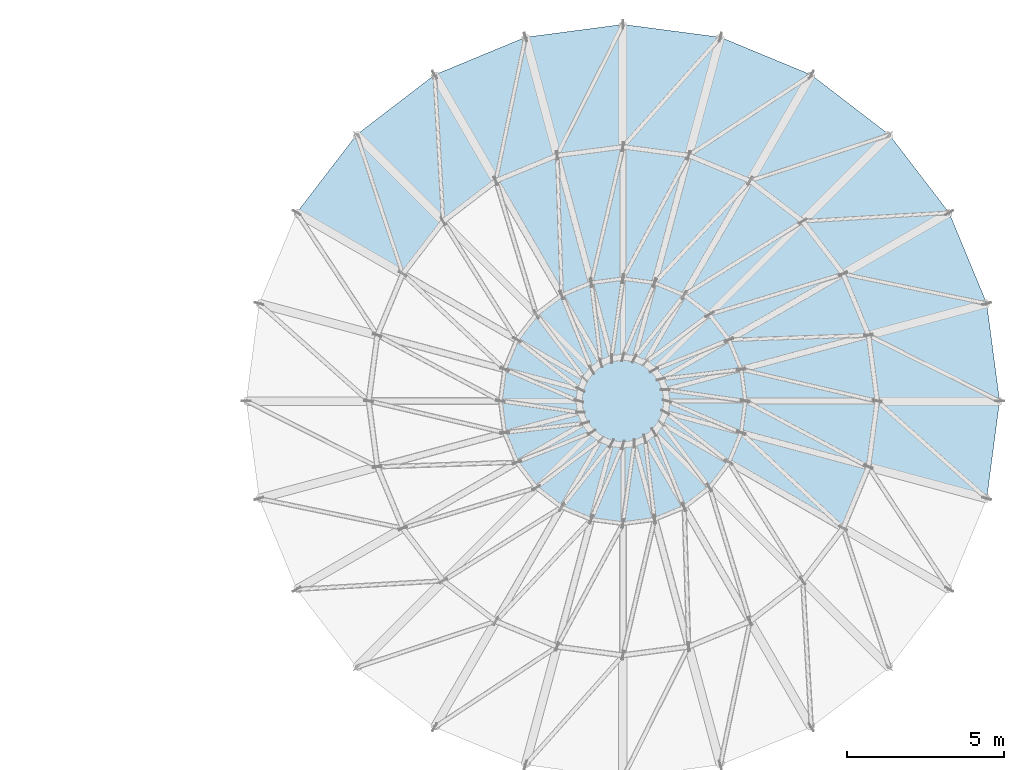
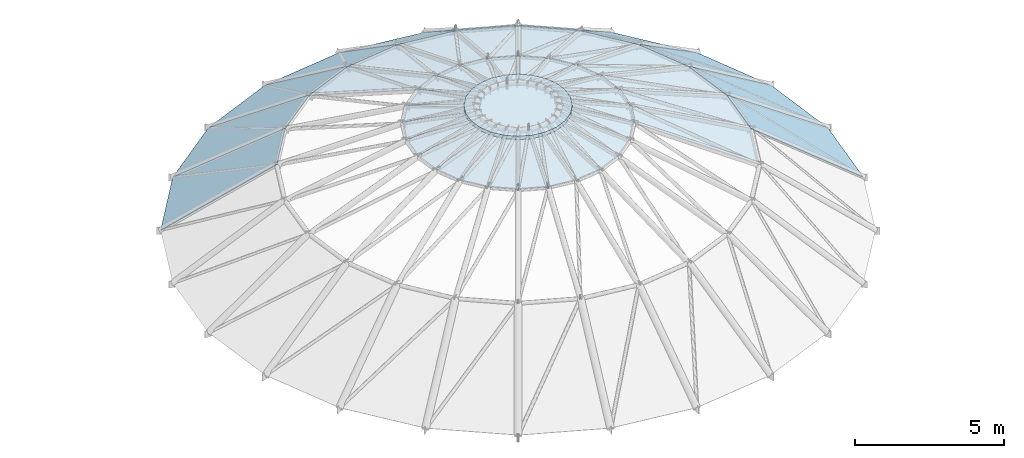
# One storey, part 21 of 32: 46 plates.
"""IFC4 building model written with IfcOpenShell, lengths in metres."""

import ifcopenshell
import ifcopenshell.guid

model = None  # the IFC model being written
_history = None  # IfcOwnerHistory: only IFC2X3 demands one
_inside = {}  # id of a spatial element -> (the spatial element, [elements in it])
_under = {}  # id of a project, library or spatial element -> (it, [spatial elements below it])
_declared = {}  # id of a project -> (the project, [libraries it declares])
_typed = {}  # id of a type object -> (the type object, [elements of that type])
_made_of = {}  # id of a material, layer set ... -> (it, [elements and type objects made of it])


def new_model(schema):
    """Start an empty IFC model of exactly this schema.

    Asked for "IFC4X3", IfcOpenShell would pick the latest addendum, in which some entities
    have other attributes; the version numbers below select the first issue.
    IFC2X3 requires an IfcOwnerHistory on every rooted entity: one is made here for all.
    """
    global model, _history
    if schema == "IFC4X3":
        model = ifcopenshell.file(schema_version=(4, 3, 0, 0))
    else:
        model = ifcopenshell.file(schema=schema)
    _inside.clear()
    _under.clear()
    _declared.clear()
    _typed.clear()
    _made_of.clear()
    _history = None
    if model.schema == "IFC2X3":
        org = make("IfcOrganization", Name="unknown")
        user = make(
            "IfcPersonAndOrganization",
            ThePerson=make("IfcPerson", FamilyName="unknown"),
            TheOrganization=org,
        )
        app = make(
            "IfcApplication",
            ApplicationDeveloper=org,
            Version="unknown",
            ApplicationFullName="unknown",
            ApplicationIdentifier="unknown",
        )
        _history = make(
            "IfcOwnerHistory",
            OwningUser=user,
            OwningApplication=app,
            ChangeAction="ADDED",
            CreationDate=0,
        )
    return model


def make(cls, **values):
    """One entity of the class cls with the attributes given. An attribute that is None is left unset."""
    return model.create_entity(
        cls, **{name: value for name, value in values.items() if value is not None}
    )


def rooted(cls, **values):
    """An entity with a GlobalId (a new one), such as an element, a storey or a relation."""
    return make(cls, GlobalId=ifcopenshell.guid.new(), OwnerHistory=_history, **values)


def si_unit(unit_type, name, prefix=None):
    """IfcSIUnit, for example si_unit("LENGTHUNIT", "METRE", prefix="MILLI")."""
    return make("IfcSIUnit", UnitType=unit_type, Prefix=prefix, Name=name)


def assignment(units):
    """IfcUnitAssignment: the units of a project."""
    return None if units is None else make("IfcUnitAssignment", Units=units)


def point(xyz):
    """IfcCartesianPoint."""
    return None if xyz is None else make("IfcCartesianPoint", Coordinates=xyz)


def direction(xyz):
    """IfcDirection."""
    return None if xyz is None else make("IfcDirection", DirectionRatios=xyz)


def frame(location, z_axis=None, x_axis=None):
    """IfcAxis2Placement3D, a coordinate frame: its origin and axes. An axis left out is left unset."""
    return make(
        "IfcAxis2Placement3D",
        Location=point(location),
        Axis=direction(z_axis),
        RefDirection=direction(x_axis),
    )


def origin():
    """The frame at (0, 0, 0) with its axes left unset."""
    return frame((0.0, 0.0, 0.0))


def place(relative_to, where):
    """IfcLocalPlacement: puts the frame where relative to a parent placement (None: the world)."""
    return make(
        "IfcLocalPlacement", PlacementRelTo=relative_to, RelativePlacement=where
    )


def context(
    kind, dimensions, precision=None, world=None, true_north=None, identifier=None
):
    """IfcGeometricRepresentationContext, for example the 3D "Model" context."""
    return make(
        "IfcGeometricRepresentationContext",
        ContextIdentifier=identifier,
        ContextType=kind,
        CoordinateSpaceDimension=dimensions,
        Precision=precision,
        WorldCoordinateSystem=world,
        TrueNorth=true_north,
    )


def subcontext(parent, identifier, kind, view, scale=None):
    """IfcGeometricRepresentationSubContext, for example "Body" below "Model"."""
    return make(
        "IfcGeometricRepresentationSubContext",
        ContextIdentifier=identifier,
        ContextType=kind,
        ParentContext=parent,
        TargetScale=scale,
        TargetView=view,
    )


def project(units=None, contexts=None):
    """IfcProject with its units and contexts."""
    return rooted(
        "IfcProject",
        Name="project",
        RepresentationContexts=contexts,
        UnitsInContext=assignment(units),
    )


def spatial(cls, under=None, at=None, **own):
    """A site, building, storey or space (cls), placed at a placement, below another one or the project."""
    s = rooted(cls, ObjectPlacement=at, **own)
    if under is not None:
        _under.setdefault(under.id(), (under, []))[1].append(s)
    return s


def polyline(points):
    """IfcPolyline through the points."""
    return make("IfcPolyline", Points=[point(p) for p in points])


def outline(outer, holes=None, kind="AREA"):
    """IfcArbitraryClosedProfileDef: a profile drawn as a closed curve; with holes, ...WithVoids."""
    if holes is None:
        return make("IfcArbitraryClosedProfileDef", ProfileType=kind, OuterCurve=outer)
    return make(
        "IfcArbitraryProfileDefWithVoids",
        ProfileType=kind,
        OuterCurve=outer,
        InnerCurves=holes,
    )


def extrude(swept, where, along, depth):
    """IfcExtrudedAreaSolid: the profile swept, set in the frame where, extruded along a direction by depth."""
    return make(
        "IfcExtrudedAreaSolid",
        SweptArea=swept,
        Position=where,
        ExtrudedDirection=direction(along),
        Depth=depth,
    )


def shape(context_of_items, identifier, shape_type, items):
    """IfcShapeRepresentation: the items that make up one representation, for example the "Body"."""
    return make(
        "IfcShapeRepresentation",
        ContextOfItems=context_of_items,
        RepresentationIdentifier=identifier,
        RepresentationType=shape_type,
        Items=items,
    )


def material(Name=None, Category=None):
    """IfcMaterial."""
    return make("IfcMaterial", Name=Name, Category=Category)


def layer(
    of_material, thickness, ventilated=None, Name=None, Category=None, Priority=None
):
    """IfcMaterialLayer: one layer of a wall or slab, of a material (None: an air gap)."""
    return make(
        "IfcMaterialLayer",
        Material=of_material,
        LayerThickness=thickness,
        IsVentilated=ventilated,
        Name=Name,
        Category=Category,
        Priority=Priority,
    )


def layer_set(layers, Name=None):
    """IfcMaterialLayerSet."""
    return make("IfcMaterialLayerSet", MaterialLayers=layers, LayerSetName=Name)


def made_of(thing, what):
    """Note that an element or type object is made of a material, layer set ...; save() writes the relation."""
    if what is not None:
        _made_of.setdefault(what.id(), (what, []))[1].append(thing)
    return thing


def type_object(cls, material=None, **own):
    """A type object (cls), such as IfcWallType, which elements share."""
    return made_of(rooted(cls, **own), material)


def element(
    cls,
    number,
    at=None,
    inside=None,
    cuts=None,
    type_object=None,
    material=None,
    context=None,
    identifier="Body",
    shape_type=None,
    held_by="IfcProductDefinitionShape",
    body=None,
    shapes=None,
    **own,
):
    """One element of the class cls, such as IfcWall. Its Tag is "e" and its number.

    at: its placement. inside: the storey or other place that contains it. cuts: it is an
    opening in that element (IfcRelVoidsElement). A single representation is given by context,
    identifier, shape_type and body (its items); several are given by shapes. held_by: the class
    of the entity that holds the representations. save() writes the other relations.
    """
    e = rooted(cls, Tag="e%d" % number, ObjectPlacement=at, **own)
    if body is not None:
        shapes = [shape(context, identifier, shape_type, body)]
    if shapes is not None:
        e.Representation = make(held_by, Representations=shapes)
    if inside is not None:
        _inside.setdefault(inside.id(), (inside, []))[1].append(e)
    if cuts is not None:
        rooted(
            "IfcRelVoidsElement", RelatingBuildingElement=cuts, RelatedOpeningElement=e
        )
    if type_object is not None:
        _typed.setdefault(type_object.id(), (type_object, []))[1].append(e)
    return made_of(e, material)


def aggregate(whole, parts):
    """IfcRelAggregates: a whole, such as a stair, and the parts it consists of."""
    return rooted("IfcRelAggregates", RelatingObject=whole, RelatedObjects=parts)


def save(model, path):
    """Write the relations noted so far, then the file.

    IfcRelAggregates (storeys below a building ...), IfcRelContainedInSpatialStructure (elements
    in a storey), IfcRelDefinesByType, IfcRelAssociatesMaterial and IfcRelDeclares: one each for
    every whole, place, type object, material and project.
    """
    for whole, parts in _under.values():
        aggregate(whole, parts)
    for where, things in _inside.values():
        rooted(
            "IfcRelContainedInSpatialStructure",
            RelatedElements=things,
            RelatingStructure=where,
        )
    for kind, things in _typed.values():
        rooted("IfcRelDefinesByType", RelatedObjects=things, RelatingType=kind)
    for what, things in _made_of.values():
        rooted("IfcRelAssociatesMaterial", RelatedObjects=things, RelatingMaterial=what)
    for by, libraries in _declared.values():
        rooted("IfcRelDeclares", RelatingContext=by, RelatedDefinitions=libraries)
    model.write(path)


model = new_model("IFC4")

# Units and contexts
model_context = context("Model", 3, precision=1e-05, world=origin(), true_north=direction((0.0, 1.0)))
body_context = subcontext(model_context, "Body", "Model", "MODEL_VIEW")
ifc_project = project(units=[si_unit("LENGTHUNIT", "METRE"), si_unit("AREAUNIT", "SQUARE_METRE"), si_unit("VOLUMEUNIT", "CUBIC_METRE"), si_unit("PLANEANGLEUNIT", "RADIAN"), si_unit("MASSUNIT", "GRAM", prefix="KILO")], contexts=[model_context])

# Site, building, storey
site_placement = place(None, origin())
site = spatial("IfcSite", under=ifc_project, at=site_placement, CompositionType="ELEMENT")
building_placement = place(site_placement, origin())
building = spatial("IfcBuilding", under=site, at=building_placement, Name="Kandorven Conservatory and Botanical Research Centre", CompositionType="ELEMENT")
storey_placement = place(building_placement, frame((0.0, 0.0, 17.10009765625)))
storey = spatial("IfcBuildingStorey", under=building, at=storey_placement, Name="L04", CompositionType="ELEMENT", Elevation=17.10009765625)

# Plates
ifc_material_1 = material(Name="Tempered laminated solar-control glass", Category="glass")
ifc_layer_1 = layer(ifc_material_1, 0.031982421875)
ifc_layer_set_1 = layer_set([ifc_layer_1], Name="Tempered laminated solar-control glass")
plate_type_1 = type_object("IfcPlateType", Name="DomePlate_DP-03", PredefinedType="SHEET", material=ifc_layer_set_1)
plate_1_placement = place(storey_placement, frame((99.60009765625, 47.800048828125, 0.6318359375), z_axis=(0.567606999966, 0.074720181852, 0.819901938047), x_axis=(-0.130535225046, 0.991443672032, 1.4460275e-05)))
element("IfcPlate", 1, at=plate_1_placement, inside=storey, type_object=plate_type_1, Name="Conservatory dome laminated glass facet DP-03 T3-S01", PredefinedType="SHEET", context=body_context, shape_type="SweptSolid", body=[
    extrude(outline(polyline([(0.0, 0.0), (3.132519886200249, 0.0), (2.6236552129737687, 4.715972828514868), (0.5091455410879763, 4.716105357710943), (0.0, 0.0)])), origin(), (0.0, 0.0, -1.0), 0.031982421875),
])
plate_2_placement = place(storey_placement, frame((99.191162109375, 50.90576171875, 0.6318359375), z_axis=(0.528926937643, 0.219114316818, 0.819893414293), x_axis=(-0.38271822273, 0.923865121099, -2.558031e-06)))
element("IfcPlate", 2, at=plate_2_placement, inside=storey, type_object=plate_type_1, Name="Conservatory dome laminated glass facet DP-03 T3-S02", PredefinedType="SHEET", context=body_context, shape_type="SweptSolid", body=[
    extrude(outline(polyline([(0.0, 0.0), (3.1328003423973083, 2.220446049250313e-16), (2.6239099326728756, 4.715950265498229), (0.5092908879007456, 4.715926819767921), (0.0, 0.0)])), origin(), (0.0, 0.0, -1.0), 0.031982421875),
])
plate_3_placement = place(storey_placement, frame((97.9921875, 53.800048828125, 0.6318359375), z_axis=(0.454216481553, 0.348514118126, 0.819893467075), x_axis=(-0.608741963328, 0.793368276454, 7.16604e-07)))
element("IfcPlate", 3, at=plate_3_placement, inside=storey, type_object=plate_type_1, Name="Conservatory dome laminated glass facet DP-03 T3-S03", PredefinedType="SHEET", context=body_context, shape_type="SweptSolid", body=[
    extrude(outline(polyline([(0.0, 0.0), (3.1326593090462196, -2.220446049250313e-16), (2.6233478710307976, 4.715935880754819), (0.5089628470614752, 4.715942448351277), (0.0, 0.0)])), origin(), (0.0, 0.0, -1.0), 0.031982421875),
])
plate_4_placement = place(storey_placement, frame((96.085205078125, 56.285400390625, 0.6318359375), z_axis=(0.348502382297, 0.454201186314, 0.819906928794), x_axis=(-0.793348860274, 0.608767267002, -2.2986833e-05)))
element("IfcPlate", 4, at=plate_4_placement, inside=storey, type_object=plate_type_1, Name="Conservatory dome laminated glass facet DP-03 T3-S04", PredefinedType="SHEET", context=body_context, shape_type="SweptSolid", body=[
    extrude(outline(polyline([(0.0, 0.0), (3.132465617989419, 0.0), (2.623364383983455, 4.716203310587385), (0.5087856731827973, 4.7159926318160075), (0.0, 0.0)])), origin(), (0.0, 0.0, -1.0), 0.031982421875),
])
plate_5_placement = place(storey_placement, frame((93.60009765625, 58.1923828125, 0.6318359375), z_axis=(0.219083726566, 0.52891739312, 0.819907746036), x_axis=(-0.923889035173, 0.382660489762, 1.6177508e-05)))
element("IfcPlate", 5, at=plate_5_placement, inside=storey, type_object=plate_type_1, Name="Conservatory dome laminated glass facet DP-03 T3-S05", PredefinedType="SHEET", context=body_context, shape_type="SweptSolid", body=[
    extrude(outline(polyline([(0.0, 0.0), (3.1327069132594065, -2.220446049250313e-16), (2.6239199773378554, 4.716033470918462), (0.509300938515216, 4.716181749167576), (0.0, 0.0)])), origin(), (0.0, 0.0, -1.0), 0.031982421875),
])
plate_6_placement = place(storey_placement, frame((90.705810546875, 59.39111328125, 0.6318359375), z_axis=(0.074723421971, 0.567604973951, 0.819903045338), x_axis=(-0.991443412231, 0.130537198568, -1.1609592e-05)))
element("IfcPlate", 6, at=plate_6_placement, inside=storey, type_object=plate_type_1, Name="Conservatory dome laminated glass facet DP-03 T3-S06", PredefinedType="SHEET", context=body_context, shape_type="SweptSolid", body=[
    extrude(outline(polyline([(0.0, 0.0), (3.132519886373402, 0.0), (2.6233743449672637, 4.716105357791606), (0.5091067249006566, 4.7159989598707295), (0.0, 0.0)])), origin(), (0.0, 0.0, -1.0), 0.031982421875),
])
plate_7_placement = place(storey_placement, frame((87.60009765625, 59.800048828125, 0.6318359375), z_axis=(-0.074716528126, 0.567605881583, 0.819903045254), x_axis=(-0.991444824561, -0.130526471242, 1.2535213e-05)))
element("IfcPlate", 7, at=plate_7_placement, inside=storey, type_object=plate_type_1, Name="Conservatory dome laminated glass facet DP-03 T3-S07", PredefinedType="SHEET", context=body_context, shape_type="SweptSolid", body=[
    extrude(outline(polyline([(0.0, 0.0), (3.1327619378393994, 1.1102230246251565e-16), (2.623615875493735, 4.715994713070849), (0.50910620239675, 4.716109604587135), (0.0, 0.0)])), origin(), (0.0, 0.0, -1.0), 0.031982421875),
])
plate_8_placement = place(storey_placement, frame((84.494140625, 59.39111328125, 0.6318359375), z_axis=(-0.219094923629, 0.528917787668, 0.819904499517), x_axis=(-0.92387912995, -0.382684404088, -1.0536634e-05)))
element("IfcPlate", 8, at=plate_8_placement, inside=storey, type_object=plate_type_1, Name="Conservatory dome laminated glass facet DP-03 T3-S08", PredefinedType="SHEET", context=body_context, shape_type="SweptSolid", body=[
    extrude(outline(polyline([(0.0, 0.0), (3.132481355101797, -1.1102230246251565e-16), (2.6235212952891604, 4.716117599537689), (0.5089022529527382, 4.716021028804621), (0.0, 0.0)])), origin(), (0.0, 0.0, -1.0), 0.031982421875),
])
plate_9_placement = place(storey_placement, frame((81.60009765625, 58.1923828125, 0.6318359375), z_axis=(-0.348494019853, 0.454216924752, 0.819901764479), x_axis=(-0.793373927424, -0.608734598234, 1.4011417e-05)))
element("IfcPlate", 9, at=plate_9_placement, inside=storey, type_object=plate_type_1, Name="Conservatory dome laminated glass facet DP-03 T3-S09", PredefinedType="SHEET", context=body_context, shape_type="SweptSolid", body=[
    extrude(outline(polyline([(0.0, 0.0), (3.1326593085899868, -2.220446049250313e-16), (2.6236901835057194, 4.7159728369803595), (0.509111464963469, 4.716101257410717), (0.0, 0.0)])), origin(), (0.0, 0.0, -1.0), 0.031982421875),
])
plate_10_placement = place(storey_placement, frame((79.11474609375, 56.285400390625, 0.6318359375), z_axis=(-0.454216481553, 0.348514118126, 0.819893467075), x_axis=(-0.608741963328, -0.793368276454, -7.16604e-07)))
element("IfcPlate", 10, at=plate_10_placement, inside=storey, type_object=plate_type_1, Name="Conservatory dome laminated glass facet DP-03 T3-S10", PredefinedType="SHEET", context=body_context, shape_type="SweptSolid", body=[
    extrude(outline(polyline([(0.0, 0.0), (3.1326593090462196, 2.220446049250313e-16), (2.623696461984744, 4.715942448351277), (0.5093114380154214, 4.71593588075482), (0.0, 0.0)])), origin(), (0.0, 0.0, -1.0), 0.031982421875),
])
plate_11_placement = place(storey_placement, frame((99.191162109375, 44.694091796875, 0.6318359375), z_axis=(0.567605881583, -0.074716528126, 0.819903045254), x_axis=(0.130526471242, 0.991444824561, -1.2535213e-05)))
element("IfcPlate", 11, at=plate_11_placement, inside=storey, type_object=plate_type_1, Name="Conservatory dome laminated glass facet DP-03 T3-S24", PredefinedType="SHEET", context=body_context, shape_type="SweptSolid", body=[
    extrude(outline(polyline([(0.0, 0.0), (3.1327619378393994, -1.1102230246251565e-16), (2.6236557354426493, 4.7161096045871345), (0.509146062345665, 4.715994713070849), (0.0, 0.0)])), origin(), (0.0, 0.0, -1.0), 0.031982421875),
])
ifc_material_2 = material(Name="Tempered laminated solar-control glass", Category="glass")
ifc_layer_2 = layer(ifc_material_2, 0.030029296875)
ifc_layer_set_2 = layer_set([ifc_layer_2], Name="Tempered laminated solar-control glass")
plate_type_2 = type_object("IfcPlateType", Name="DomePlate_DP-04", PredefinedType="SHEET", material=ifc_layer_set_2)
plate_12_placement = place(storey_placement, frame((95.699951171875, 47.800048828125, 3.329833984375), z_axis=(0.374730934992, 0.049312128384, 0.925821278841), x_axis=(-0.13046932882, 0.991452345923, 2.89697e-07)))
element("IfcPlate", 12, at=plate_12_placement, inside=storey, type_object=plate_type_2, Name="Conservatory dome laminated glass facet DP-04 T4-S01", PredefinedType="SHEET", context=body_context, shape_type="SweptSolid", body=[
    extrude(outline(polyline([(0.0, 0.0), (2.114509676760629, 0.0), (1.5659436508242235, 4.497681209482201), (0.5479653029419596, 4.4976836104448985), (0.0, 0.0)])), origin(), (0.0, 0.0, -1.0), 0.030029296875),
])
plate_13_placement = place(storey_placement, frame((95.424072265625, 49.896484375, 3.329833984375), z_axis=(0.349184928896, 0.144651808166, 0.925821656598), x_axis=(-0.382727281196, 0.9238613685, 4.732037e-06)))
element("IfcPlate", 13, at=plate_13_placement, inside=storey, type_object=plate_type_2, Name="Conservatory dome laminated glass facet DP-04 T4-S02", PredefinedType="SHEET", context=body_context, shape_type="SweptSolid", body=[
    extrude(outline(polyline([(0.0, 0.0), (2.1146190448970748, 1.1102230246251565e-16), (1.5664863526592625, 4.497673809015465), (0.5483050553893123, 4.497713031425981), (0.0, 0.0)])), origin(), (0.0, 0.0, -1.0), 0.030029296875),
])
plate_14_placement = place(storey_placement, frame((94.61474609375, 51.85009765625, 3.329833984375), z_axis=(0.299845884601, 0.23009099171, 0.925824271134), x_axis=(-0.608745160923, 0.793365822765, -1.7927458e-05)))
element("IfcPlate", 14, at=plate_14_placement, inside=storey, type_object=plate_type_2, Name="Conservatory dome laminated glass facet DP-04 T4-S03", PredefinedType="SHEET", context=body_context, shape_type="SweptSolid", body=[
    extrude(outline(polyline([(0.0, 0.0), (2.114385023584895, 1.1102230246251565e-16), (1.5660365909222134, 4.497843920849288), (0.5479559988104435, 4.497695338994376), (0.0, 0.0)])), origin(), (0.0, 0.0, -1.0), 0.030029296875),
])
plate_15_placement = place(storey_placement, frame((93.32763671875, 53.527587890625, 3.329833984375), z_axis=(0.230080284831, 0.299861387733, 0.925821910887), x_axis=(-0.793406618856, 0.608691988187, 2.5919211e-05)))
element("IfcPlate", 15, at=plate_15_placement, inside=storey, type_object=plate_type_2, Name="Conservatory dome laminated glass facet DP-04 T4-S04", PredefinedType="SHEET", context=body_context, shape_type="SweptSolid", body=[
    extrude(outline(polyline([(0.0, 0.0), (2.1145787222907897, 0.0), (1.5667216823081294, 4.497593403393992), (0.5486411029175582, 4.497808230492449), (0.0, 0.0)])), origin(), (0.0, 0.0, -1.0), 0.030029296875),
])
plate_16_placement = place(storey_placement, frame((91.64990234375, 54.814697265625, 3.329833984375), z_axis=(0.144654590353, 0.349191645009, 0.925818688808), x_axis=(-0.923861368528, 0.382727281127, -4.732113e-06)))
element("IfcPlate", 16, at=plate_16_placement, inside=storey, type_object=plate_type_2, Name="Conservatory dome laminated glass facet DP-04 T4-S05", PredefinedType="SHEET", context=body_context, shape_type="SweptSolid", body=[
    extrude(outline(polyline([(0.0, 0.0), (2.114619044897074, 0.0), (1.5660884375963475, 4.497626522991558), (0.5479071403263945, 4.497587300706773), (0.0, 0.0)])), origin(), (0.0, 0.0, -1.0), 0.030029296875),
])
plate_17_placement = place(storey_placement, frame((89.6962890625, 55.6240234375, 3.329833984375), z_axis=(0.049316100785, 0.374731661876, 0.925820773039), x_axis=(-0.99145047147, 0.130483572214, -2.003076e-06)))
element("IfcPlate", 17, at=plate_17_placement, inside=storey, type_object=plate_type_2, Name="Conservatory dome laminated glass facet DP-04 T4-S06", PredefinedType="SHEET", context=body_context, shape_type="SweptSolid", body=[
    extrude(outline(polyline([(0.0, 0.0), (2.1142676232041024, 0.0), (1.5662395860422704, 4.4976759669141355), (0.5482612383025822, 4.497659367063457), (0.0, 0.0)])), origin(), (0.0, 0.0, -1.0), 0.030029296875),
])
plate_18_placement = place(storey_placement, frame((87.60009765625, 55.89990234375, 3.329833984375), z_axis=(-0.049308479897, 0.374732665027, 0.925820772921), x_axis=(-0.991452535424, -0.130467888716, 3.847642e-06)))
element("IfcPlate", 18, at=plate_18_placement, inside=storey, type_object=plate_type_2, Name="Conservatory dome laminated glass facet DP-04 T4-S07", PredefinedType="SHEET", context=body_context, shape_type="SweptSolid", body=[
    extrude(outline(polyline([(0.0, 0.0), (2.114509676742472, 0.0), (1.5661857046292964, 4.497651719409636), (0.5479653029103507, 4.497683610440213), (0.0, 0.0)])), origin(), (0.0, 0.0, -1.0), 0.030029296875),
])
plate_19_placement = place(storey_placement, frame((85.503662109375, 55.6240234375, 3.329833984375), z_axis=(-0.144654590353, 0.349191645009, 0.925818688808), x_axis=(-0.923861368528, -0.382727281127, 4.732113e-06)))
element("IfcPlate", 19, at=plate_19_placement, inside=storey, type_object=plate_type_2, Name="Conservatory dome laminated glass facet DP-04 T4-S08", PredefinedType="SHEET", context=body_context, shape_type="SweptSolid", body=[
    extrude(outline(polyline([(0.0, 0.0), (2.114619044897074, 0.0), (1.5667119045706794, 4.497587300706773), (0.5485306073007264, 4.497626522991558), (0.0, 0.0)])), origin(), (0.0, 0.0, -1.0), 0.030029296875),
])
plate_20_placement = place(storey_placement, frame((94.61474609375, 43.75, 3.329833984375), z_axis=(0.349183972573, -0.144663614755, 0.92582017253), x_axis=(0.382731217783, 0.923859737678, 5.705348e-06)))
element("IfcPlate", 20, at=plate_20_placement, inside=storey, type_object=plate_type_2, Name="Conservatory dome laminated glass facet DP-04 T4-S23", PredefinedType="SHEET", context=body_context, shape_type="SweptSolid", body=[
    extrude(outline(polyline([(0.0, 0.0), (2.114619044884544, 1.1102230246251565e-16), (1.5660884376056272, 4.497626522988327), (0.5481326922159976, 4.497673809012232), (0.0, 0.0)])), origin(), (0.0, 0.0, -1.0), 0.030029296875),
])
plate_21_placement = place(storey_placement, frame((95.424072265625, 45.70361328125, 3.329833984375), z_axis=(0.374732665027, -0.049308479897, 0.925820772921), x_axis=(0.130467888716, 0.991452535424, -3.847642e-06)))
element("IfcPlate", 21, at=plate_21_placement, inside=storey, type_object=plate_type_2, Name="Conservatory dome laminated glass facet DP-04 T4-S24", PredefinedType="SHEET", context=body_context, shape_type="SweptSolid", body=[
    extrude(outline(polyline([(0.0, 0.0), (2.114509676742472, 0.0), (1.566544373832121, 4.497683610440213), (0.5483239721131753, 4.497651719409636), (0.0, 0.0)])), origin(), (0.0, 0.0, -1.0), 0.030029296875),
])
ifc_material_3 = material(Name="Tempered laminated solar-control glass", Category="glass")
ifc_layer_3 = layer(ifc_material_3, 0.028076171875)
ifc_layer_set_3 = layer_set([ifc_layer_3], Name="Tempered laminated solar-control glass")
plate_type_3 = type_object("IfcPlateType", Name="DomePlate_DP-05", PredefinedType="SHEET", material=ifc_layer_set_3)
plate_22_placement = place(storey_placement, frame((91.5, 47.800048828125, 5.02783203125), z_axis=(0.269448145642, 0.0354436062, 0.962362430475), x_axis=(-0.130463306492, 0.991453138324, 1.2907204e-05)))
element("IfcPlate", 22, at=plate_22_placement, inside=storey, type_object=plate_type_3, Name="Conservatory dome laminated glass facet DP-05 T5-S01", PredefinedType="SHEET", context=body_context, shape_type="SweptSolid", body=[
    extrude(outline(polyline([(0.0, 0.0), (1.0179783477937523, 0.0), (0.6915864417664268, 2.5755015238106727), (0.3261673006436709, 2.5755672258385336), (0.0, 0.0)])), origin(), (0.0, 0.0, -1.0), 0.028076171875),
])
plate_23_placement = place(storey_placement, frame((91.3671875, 48.809326171875, 5.02783203125), z_axis=(0.251080962539, 0.104009665345, 0.962361854899), x_axis=(-0.382692071551, 0.92387595398, -5.54377e-06)))
element("IfcPlate", 23, at=plate_23_placement, inside=storey, type_object=plate_type_3, Name="Conservatory dome laminated glass facet DP-05 T5-S02", PredefinedType="SHEET", context=body_context, shape_type="SweptSolid", body=[
    extrude(outline(polyline([(0.0, 0.0), (1.0181812980658853, -1.1102230246251565e-16), (0.6918757590392207, 2.575529165108829), (0.32639651066222436, 2.575500940293126), (0.0, 0.0)])), origin(), (0.0, 0.0, -1.0), 0.028076171875),
])
plate_24_placement = place(storey_placement, frame((90.9775390625, 49.75, 5.02783203125), z_axis=(0.215562359288, 0.165496262937, 0.962363681885), x_axis=(-0.608872103392, 0.793268403841, -3.4341726e-05)))
element("IfcPlate", 24, at=plate_24_placement, inside=storey, type_object=plate_type_3, Name="Conservatory dome laminated glass facet DP-05 T5-S03", PredefinedType="SHEET", context=body_context, shape_type="SweptSolid", body=[
    extrude(outline(polyline([(0.0, 0.0), (1.0180806031290643, 0.0), (0.6920766799646784, 2.575663838595745), (0.32662234557694103, 2.5754890073945216), (0.0, 0.0)])), origin(), (0.0, 0.0, -1.0), 0.028076171875),
])
plate_25_placement = place(storey_placement, frame((90.357666015625, 50.5576171875, 5.02783203125), z_axis=(0.165496262937, 0.215562359288, 0.962363681885), x_axis=(-0.793268403841, 0.608872103392, 3.4341726e-05)))
element("IfcPlate", 25, at=plate_25_placement, inside=storey, type_object=plate_type_3, Name="Conservatory dome laminated glass facet DP-05 T5-S04", PredefinedType="SHEET", context=body_context, shape_type="SweptSolid", body=[
    extrude(outline(polyline([(0.0, 0.0), (1.0180806031290643, 0.0), (0.6914582575521233, 2.575489007394521), (0.3260039231643861, 2.575663838595745), (0.0, 0.0)])), origin(), (0.0, 0.0, -1.0), 0.028076171875),
])
plate_26_placement = place(storey_placement, frame((89.550048828125, 51.177490234375, 5.02783203125), z_axis=(0.104009665345, 0.251080962539, 0.962361854899), x_axis=(-0.92387595398, 0.382692071551, 5.54377e-06)))
element("IfcPlate", 26, at=plate_26_placement, inside=storey, type_object=plate_type_3, Name="Conservatory dome laminated glass facet DP-05 T5-S05", PredefinedType="SHEET", context=body_context, shape_type="SweptSolid", body=[
    extrude(outline(polyline([(0.0, 0.0), (1.0181812980658853, 1.1102230246251565e-16), (0.691784787403661, 2.575500940293126), (0.32630553902666476, 2.575529165108829), (0.0, 0.0)])), origin(), (0.0, 0.0, -1.0), 0.028076171875),
])
plate_27_placement = place(storey_placement, frame((88.609375, 51.567138671875, 5.02783203125), z_axis=(0.0354436062, 0.269448145642, 0.962362430475), x_axis=(-0.991453138324, 0.130463306492, -1.2907204e-05)))
element("IfcPlate", 27, at=plate_27_placement, inside=storey, type_object=plate_type_3, Name="Conservatory dome laminated glass facet DP-05 T5-S06", PredefinedType="SHEET", context=body_context, shape_type="SweptSolid", body=[
    extrude(outline(polyline([(0.0, 0.0), (1.0179783477937523, 0.0), (0.6918110471500813, 2.5755672258385336), (0.3263919060273256, 2.575501523810672), (0.0, 0.0)])), origin(), (0.0, 0.0, -1.0), 0.028076171875),
])
plate_28_placement = place(storey_placement, frame((87.60009765625, 51.699951171875, 5.02783203125), z_axis=(-0.03543719496, 0.269447359239, 0.96236288676), x_axis=(-0.991457139379, -0.130432897147, 1.074413e-05)))
element("IfcPlate", 28, at=plate_28_placement, inside=storey, type_object=plate_type_3, Name="Conservatory dome laminated glass facet DP-05 T5-S07", PredefinedType="SHEET", context=body_context, shape_type="SweptSolid", body=[
    extrude(outline(polyline([(0.0, 0.0), (1.0182204021928298, 0.0), (0.691508906247049, 2.575522342781606), (0.326089763233692, 2.5755770439251386), (0.0, 0.0)])), origin(), (0.0, 0.0, -1.0), 0.028076171875),
])
plate_29_placement = place(storey_placement, frame((86.590576171875, 51.567138671875, 5.02783203125), z_axis=(-0.103990897958, 0.25108360194, 0.962363194422), x_axis=(-0.923877862256, -0.382687464501, 1.2114454e-05)))
element("IfcPlate", 29, at=plate_29_placement, inside=storey, type_object=plate_type_3, Name="Conservatory dome laminated glass facet DP-05 T5-S08", PredefinedType="SHEET", context=body_context, shape_type="SweptSolid", body=[
    extrude(outline(polyline([(0.0, 0.0), (1.018181298002107, 0.0), (0.6918757590825596, 2.575529165097187), (0.32617095475599295, 2.5755908541515082), (0.0, 0.0)])), origin(), (0.0, 0.0, -1.0), 0.028076171875),
])
plate_30_placement = place(storey_placement, frame((85.64990234375, 51.177490234375, 5.02783203125), z_axis=(-0.165496262937, 0.215562359288, 0.962363681885), x_axis=(-0.793268403841, -0.608872103392, -3.4341726e-05)))
element("IfcPlate", 30, at=plate_30_placement, inside=storey, type_object=plate_type_3, Name="Conservatory dome laminated glass facet DP-05 T5-S09", PredefinedType="SHEET", context=body_context, shape_type="SweptSolid", body=[
    extrude(outline(polyline([(0.0, 0.0), (1.0180806031290643, 0.0), (0.6920766799646784, 2.575663838595745), (0.32662234557694103, 2.5754890073945216), (0.0, 0.0)])), origin(), (0.0, 0.0, -1.0), 0.028076171875),
])
plate_31_placement = place(storey_placement, frame((84.84228515625, 50.5576171875, 5.02783203125), z_axis=(-0.215577718489, 0.165460095392, 0.962366460411), x_axis=(-0.608863902448, -0.793274699137, -2.268958e-06)))
element("IfcPlate", 31, at=plate_31_placement, inside=storey, type_object=plate_type_3, Name="Conservatory dome laminated glass facet DP-05 T5-S10", PredefinedType="SHEET", context=body_context, shape_type="SweptSolid", body=[
    extrude(outline(polyline([(0.0, 0.0), (1.018080603774448, 1.1102230246251565e-16), (0.691309608576021, 2.5756753889874626), (0.3260039242484924, 2.575663838713629), (0.0, 0.0)])), origin(), (0.0, 0.0, -1.0), 0.028076171875),
])
plate_32_placement = place(storey_placement, frame((84.222412109375, 49.75, 5.02783203125), z_axis=(-0.251087335251, 0.103964351189, 0.962365088601), x_axis=(-0.38249137228, -0.923959062782, 2.0849743e-05)))
element("IfcPlate", 32, at=plate_32_placement, inside=storey, type_object=plate_type_3, Name="Conservatory dome laminated glass facet DP-05 T5-S11", PredefinedType="SHEET", context=body_context, shape_type="SweptSolid", body=[
    extrude(outline(polyline([(0.0, 0.0), (1.0180878925012047, 5.551115123125783e-17), (0.6922405119752992, 2.575570472686692), (0.32676127854178105, 2.575676621609102), (0.0, 0.0)])), origin(), (0.0, 0.0, -1.0), 0.028076171875),
])
plate_33_placement = place(storey_placement, frame((83.8330078125, 48.809326171875, 5.02783203125), z_axis=(-0.269435733471, 0.035537892222, 0.962362428478), x_axis=(-0.130707254752, -0.991421007083, 1.642608e-05)))
element("IfcPlate", 33, at=plate_33_placement, inside=storey, type_object=plate_type_3, Name="Conservatory dome laminated glass facet DP-05 T5-S12", PredefinedType="SHEET", context=body_context, shape_type="SweptSolid", body=[
    extrude(outline(polyline([(0.0, 0.0), (1.0180102287892516, 2.7755575615628914e-17), (0.6912535893631447, 2.575492524022973), (0.32580256484105063, 2.5755761421667827), (0.0, 0.0)])), origin(), (0.0, 0.0, -1.0), 0.028076171875),
])
plate_34_placement = place(storey_placement, frame((83.699951171875, 47.800048828125, 5.02783203125), z_axis=(-0.269434945173, -0.035531463672, 0.96236288655), x_axis=(0.130676790883, -0.991425022873, -1.8587788e-05)))
element("IfcPlate", 34, at=plate_34_placement, inside=storey, type_object=plate_type_3, Name="Conservatory dome laminated glass facet DP-05 T5-S13", PredefinedType="SHEET", context=body_context, shape_type="SweptSolid", body=[
    extrude(outline(polyline([(0.0, 0.0), (1.0182522755399626, -2.7755575615628914e-17), (0.6921299883810261, 2.5755970168702693), (0.3266789666630539, 2.575502377277556), (0.0, 0.0)])), origin(), (0.0, 0.0, -1.0), 0.028076171875),
])
plate_35_placement = place(storey_placement, frame((83.8330078125, 46.79052734375, 5.02783203125), z_axis=(-0.251075932558, -0.103979488402, 0.962366428177), x_axis=(0.382574483093, -0.923924653138, -1.4513848e-05)))
element("IfcPlate", 35, at=plate_35_placement, inside=storey, type_object=plate_type_3, Name="Conservatory dome laminated glass facet DP-05 T5-S14", PredefinedType="SHEET", context=body_context, shape_type="SweptSolid", body=[
    extrude(outline(polyline([(0.0, 0.0), (1.0178623204149044, 5.551115123125783e-17), (0.6913284471934907, 2.5757054610626238), (0.32584920546946294, 2.575631579814722), (0.0, 0.0)])), origin(), (0.0, 0.0, -1.0), 0.028076171875),
])
plate_36_placement = place(storey_placement, frame((84.222412109375, 45.85009765625, 5.02783203125), z_axis=(-0.215613259755, -0.165413774996, 0.962366461001), x_axis=(0.608744058266, -0.79336666877, 2.0278265e-05)))
element("IfcPlate", 36, at=plate_36_placement, inside=storey, type_object=plate_type_3, Name="Conservatory dome laminated glass facet DP-05 T5-S15", PredefinedType="SHEET", context=body_context, shape_type="SweptSolid", body=[
    extrude(outline(polyline([(0.0, 0.0), (1.0182742848867448, 5.551115123125783e-17), (0.6919085170947059, 2.5756180139611815), (0.3264091421975733, 2.575721270668454), (0.0, 0.0)])), origin(), (0.0, 0.0, -1.0), 0.028076171875),
])
plate_37_placement = place(storey_placement, frame((84.84228515625, 45.042236328125, 5.02783203125), z_axis=(-0.165435894729, -0.215608682751, 0.962363684195), x_axis=(0.793388267563, -0.608715908101, 1.0871978e-05)))
element("IfcPlate", 37, at=plate_37_placement, inside=storey, type_object=plate_type_3, Name="Conservatory dome laminated glass facet DP-05 T5-S16", PredefinedType="SHEET", context=body_context, shape_type="SweptSolid", body=[
    extrude(outline(polyline([(0.0, 0.0), (1.0179319735983037, -1.1102230246251565e-16), (0.6917811989010845, 2.575548768164219), (0.32647551875526876, 2.5756041047120264), (0.0, 0.0)])), origin(), (0.0, 0.0, -1.0), 0.028076171875),
])
plate_38_placement = place(storey_placement, frame((85.64990234375, 44.422607421875, 5.02783203125), z_axis=(-0.103990897958, -0.25108360194, 0.962363194422), x_axis=(0.923877862256, -0.382687464501, -1.2114454e-05)))
element("IfcPlate", 38, at=plate_38_placement, inside=storey, type_object=plate_type_3, Name="Conservatory dome laminated glass facet DP-05 T5-S17", PredefinedType="SHEET", context=body_context, shape_type="SweptSolid", body=[
    extrude(outline(polyline([(0.0, 0.0), (1.018181298002107, 0.0), (0.692010343246114, 2.5755908541515082), (0.32630553891954767, 2.575529165097187), (0.0, 0.0)])), origin(), (0.0, 0.0, -1.0), 0.028076171875),
])
plate_39_placement = place(storey_placement, frame((86.590576171875, 44.032958984375, 5.02783203125), z_axis=(-0.035531463672, -0.269434945173, 0.96236288655), x_axis=(0.991425022873, -0.130676790883, 1.8587788e-05)))
element("IfcPlate", 39, at=plate_39_placement, inside=storey, type_object=plate_type_3, Name="Conservatory dome laminated glass facet DP-05 T5-S18", PredefinedType="SHEET", context=body_context, shape_type="SweptSolid", body=[
    extrude(outline(polyline([(0.0, 0.0), (1.0182522755399626, 2.7755575615628914e-17), (0.6915733088769086, 2.5755023772775565), (0.3261222871589365, 2.5755970168702693), (0.0, 0.0)])), origin(), (0.0, 0.0, -1.0), 0.028076171875),
])
plate_40_placement = place(storey_placement, frame((87.60009765625, 43.89990234375, 5.02783203125), z_axis=(0.035537892222, -0.269435733471, 0.962362428478), x_axis=(0.991421007083, 0.130707254752, -1.642608e-05)))
element("IfcPlate", 40, at=plate_40_placement, inside=storey, type_object=plate_type_3, Name="Conservatory dome laminated glass facet DP-05 T5-S19", PredefinedType="SHEET", context=body_context, shape_type="SweptSolid", body=[
    extrude(outline(polyline([(0.0, 0.0), (1.0180102287892516, -2.7755575615628914e-17), (0.6922076639482008, 2.5755761421667827), (0.32675663942610694, 2.5754925240229727), (0.0, 0.0)])), origin(), (0.0, 0.0, -1.0), 0.028076171875),
])
plate_41_placement = place(storey_placement, frame((88.609375, 44.032958984375, 5.02783203125), z_axis=(0.104009665345, -0.251080962539, 0.962361854899), x_axis=(0.92387595398, 0.382692071551, -5.54377e-06)))
element("IfcPlate", 41, at=plate_41_placement, inside=storey, type_object=plate_type_3, Name="Conservatory dome laminated glass facet DP-05 T5-S20", PredefinedType="SHEET", context=body_context, shape_type="SweptSolid", body=[
    extrude(outline(polyline([(0.0, 0.0), (1.0181812980658853, -1.1102230246251565e-16), (0.6918757590392207, 2.575529165108829), (0.32639651066222436, 2.575500940293126), (0.0, 0.0)])), origin(), (0.0, 0.0, -1.0), 0.028076171875),
])
plate_42_placement = place(storey_placement, frame((89.550048828125, 44.422607421875, 5.02783203125), z_axis=(0.165435894729, -0.215608682751, 0.962363684195), x_axis=(0.793388267563, 0.608715908101, -1.0871978e-05)))
element("IfcPlate", 42, at=plate_42_placement, inside=storey, type_object=plate_type_3, Name="Conservatory dome laminated glass facet DP-05 T5-S21", PredefinedType="SHEET", context=body_context, shape_type="SweptSolid", body=[
    extrude(outline(polyline([(0.0, 0.0), (1.0179319735983037, 1.1102230246251565e-16), (0.6914564548430345, 2.575604104712026), (0.32615077469721937, 2.5755487681642193), (0.0, 0.0)])), origin(), (0.0, 0.0, -1.0), 0.028076171875),
])
plate_43_placement = place(storey_placement, frame((90.357666015625, 45.042236328125, 5.02783203125), z_axis=(0.21559790627, -0.165449938746, 0.962363684155), x_axis=(0.608752259325, 0.793360376185, 1.6327606e-05)))
element("IfcPlate", 43, at=plate_43_placement, inside=storey, type_object=plate_type_3, Name="Conservatory dome laminated glass facet DP-05 T5-S22", PredefinedType="SHEET", context=body_context, shape_type="SweptSolid", body=[
    extrude(outline(polyline([(0.0, 0.0), (1.0182742849662452, -1.1102230246251565e-16), (0.692013762899183, 2.5755348680618027), (0.32636576792555877, 2.5756180139756935), (0.0, 0.0)])), origin(), (0.0, 0.0, -1.0), 0.028076171875),
])
plate_44_placement = place(storey_placement, frame((90.9775390625, 45.85009765625, 5.02783203125), z_axis=(0.251069554976, -0.104024807019, 0.962363194479), x_axis=(0.382775211152, 0.923841511151, -7.97003e-07)))
element("IfcPlate", 44, at=plate_44_placement, inside=storey, type_object=plate_type_3, Name="Conservatory dome laminated glass facet DP-05 T5-S23", PredefinedType="SHEET", context=body_context, shape_type="SweptSolid", body=[
    extrude(outline(polyline([(0.0, 0.0), (1.0179557465709541, 0.0), (0.6915572962648915, 2.5755620341037604), (0.3260780467744655, 2.575557976938416), (0.0, 0.0)])), origin(), (0.0, 0.0, -1.0), 0.028076171875),
])
plate_45_placement = place(storey_placement, frame((91.3671875, 46.79052734375, 5.02783203125), z_axis=(0.269447359239, -0.03543719496, 0.96236288676), x_axis=(0.130432897147, 0.991457139379, -1.074413e-05)))
element("IfcPlate", 45, at=plate_45_placement, inside=storey, type_object=plate_type_3, Name="Conservatory dome laminated glass facet DP-05 T5-S24", PredefinedType="SHEET", context=body_context, shape_type="SweptSolid", body=[
    extrude(outline(polyline([(0.0, 0.0), (1.0182204021928298, 0.0), (0.6921306389591378, 2.5755770439251386), (0.32671149594578075, 2.5755223427816065), (0.0, 0.0)])), origin(), (0.0, 0.0, -1.0), 0.028076171875),
])
ifc_material_4 = material(Name="Tempered laminated solar-control glass", Category="glass")
ifc_layer_4 = layer(ifc_material_4, 0.22998046875)
ifc_layer_set_4 = layer_set([ifc_layer_4], Name="Tempered laminated solar-control glass")
plate_type_4 = type_object("IfcPlateType", Name="DomePlate_DP-06", PredefinedType="SHEET", material=ifc_layer_set_4)
plate_46_placement = place(storey_placement, frame((0.0, 0.0, 5.52001953125)))
element("IfcPlate", 46, at=plate_46_placement, inside=storey, type_object=plate_type_4, Name="Conservatory dome apex lantern glazing plate DP-06", PredefinedType="SHEET", context=body_context, shape_type="SweptSolid", body=[
    extrude(outline(polyline([(89.419921875, 47.800048828125), (89.35791015625, 48.27099609375), (89.17626953125, 48.7099609375), (88.886962890625, 49.0869140625), (88.510009765625, 49.376220703125), (88.071044921875, 49.55810546875), (87.60009765625, 49.6201171875), (87.12890625, 49.55810546875), (86.68994140625, 49.376220703125), (86.31298828125, 49.0869140625), (86.023681640625, 48.7099609375), (85.842041015625, 48.27099609375), (85.780029296875, 47.800048828125), (85.842041015625, 47.328857421875), (86.023681640625, 46.889892578125), (86.31298828125, 46.51318359375), (86.68994140625, 46.223876953125), (87.12890625, 46.0419921875), (87.60009765625, 45.97998046875), (88.071044921875, 46.0419921875), (88.510009765625, 46.223876953125), (88.886962890625, 46.51318359375), (89.17626953125, 46.889892578125), (89.35791015625, 47.328857421875), (89.419921875, 47.800048828125)])), origin(), (0.0, 0.0, 1.0), 0.22998046875),
])

save(model, "model.ifc")
